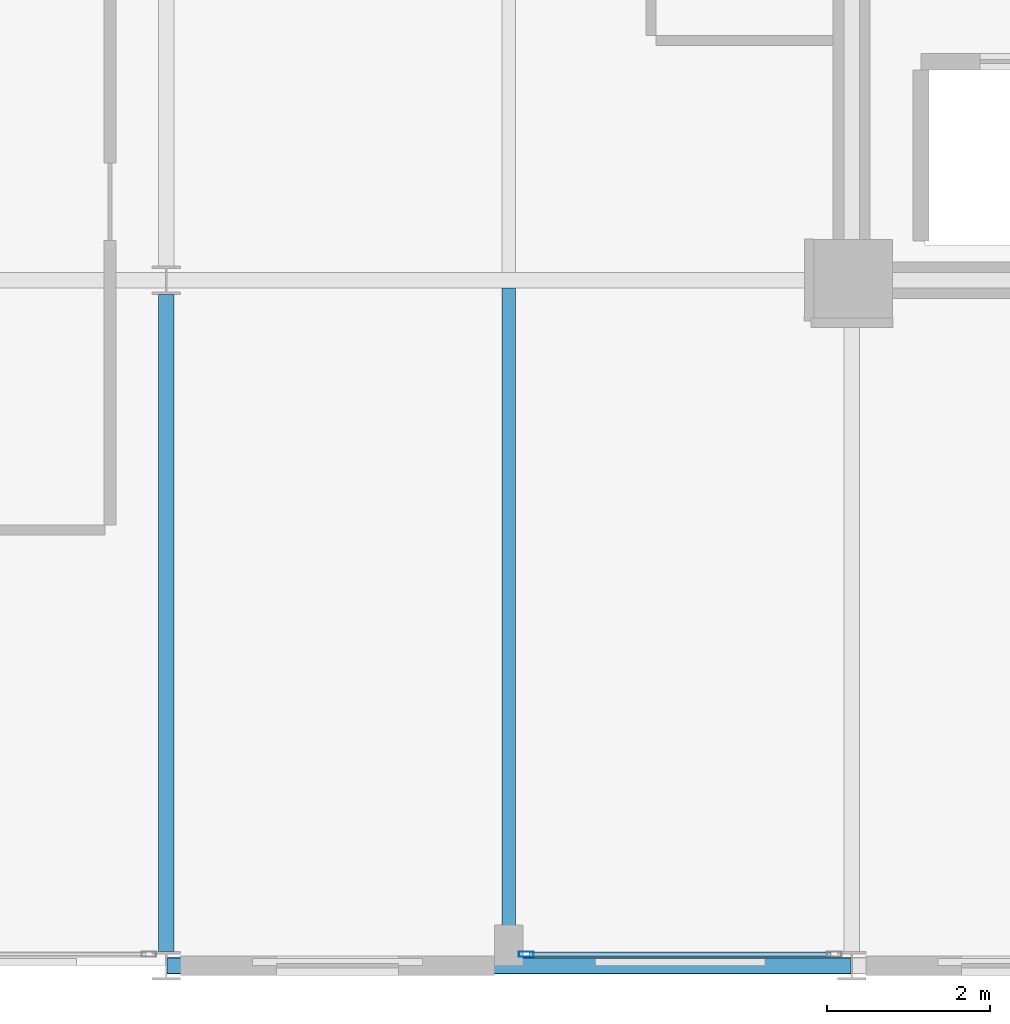
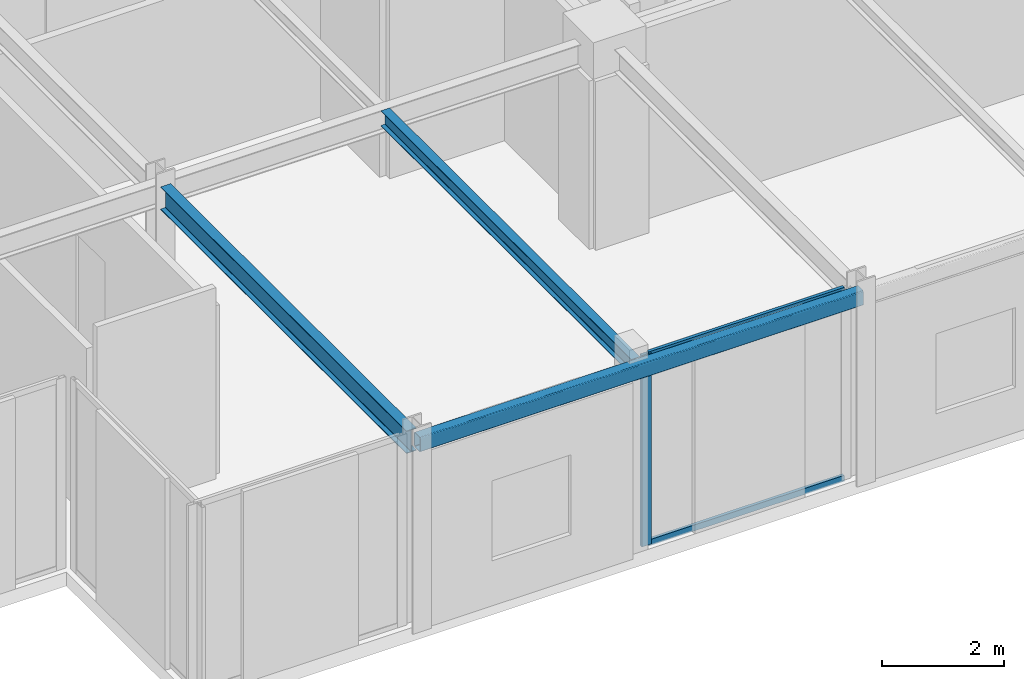
# One storey, part 3 of 25: 3 beams, 3 members, 1 element without a shape of its own.
"""IFC4 building model written with IfcOpenShell, lengths in metres."""

from ifc_helpers import new_model, si_unit, direction, frame, origin, origin_2d, place, context, subcontext, project, spatial, hollow_rectangle, i_section, extrude, material, layer, layer_set, material_profile, profile_set, type_object, element, aggregate, save


model = new_model("IFC4")

# Units and contexts
model_context = context("Model", 3, precision=1e-05, world=origin(), true_north=direction((0.0, 1.0)))
body_context = subcontext(model_context, "Body", "Model", "MODEL_VIEW")
ifc_project = project(units=[si_unit("LENGTHUNIT", "METRE"), si_unit("AREAUNIT", "SQUARE_METRE"), si_unit("VOLUMEUNIT", "CUBIC_METRE"), si_unit("PLANEANGLEUNIT", "RADIAN"), si_unit("MASSUNIT", "GRAM", prefix="KILO")], contexts=[model_context])

# Site, building, storey
site_placement = place(None, origin())
site = spatial("IfcSite", under=ifc_project, at=site_placement, CompositionType="ELEMENT")
building_placement = place(site_placement, origin())
building = spatial("IfcBuilding", under=site, at=building_placement, Name="Nerrivon Quay Data Exchange", CompositionType="ELEMENT")
storey_placement = place(building_placement, frame((0.0, 0.0, 237.0)))
storey = spatial("IfcBuildingStorey", under=building, at=storey_placement, Name="L56", CompositionType="ELEMENT", Elevation=237.0)

# Beams
ifc_material_1 = material(Name="Steel Grade 350", Category="steel")
ifc_material_profile_1 = material_profile(ifc_material_1, i_section(OverallWidth=0.18994140625, OverallDepth=0.4541015625, WebThickness=0.008544921875, FlangeThickness=0.0126953125, FilletRadius=0.011474609375, at=origin_2d()), Name="460UB67.1")
ifc_profile_set_1 = profile_set([ifc_material_profile_1], Name="Steel Grade 350")
beam_type_1 = type_object("IfcBeamType", Name="BM-G6-460UB67", PredefinedType="BEAM", material=ifc_profile_set_1)
beam_1_placement = place(storey_placement, frame((8.39990234375, 0.175048828125, 3.597900390625), z_axis=(0.0, 1.0, 0.0), x_axis=(-1.0, 0.0, 0.0)))
element("IfcBeam", 1, at=beam_1_placement, inside=storey, type_object=beam_type_1, Name="L56 NS Girder X=8.4 (0.0..8.4)", PredefinedType="BEAM", context=body_context, shape_type="SweptSolid", body=[
    extrude(i_section(OverallWidth=0.18994140625, OverallDepth=0.4541015625, WebThickness=0.008544921875, FlangeThickness=0.0126953125, FilletRadius=0.011474609375, at=origin_2d()), origin(), (0.0, 0.0, 1.0), 8.050048828125),
])
ifc_material_profile_2 = material_profile(ifc_material_1, i_section(OverallWidth=0.166015625, OverallDepth=0.306884765625, WebThickness=0.006591796875, FlangeThickness=0.01171875, FilletRadius=0.011474609375, at=origin_2d()), Name="310UB46.2")
ifc_profile_set_2 = profile_set([ifc_material_profile_2], Name="Steel Grade 350")
beam_type_2 = type_object("IfcBeamType", Name="BM-J5-310UB46", PredefinedType="JOIST", material=ifc_profile_set_2)
beam_2_placement = place(storey_placement, frame((12.60009765625, 0.10009765625, 3.67138671875), z_axis=(0.0, 1.0, 0.0), x_axis=(-1.0, 0.0, 0.0)))
element("IfcBeam", 2, at=beam_2_placement, inside=storey, type_object=beam_type_2, Name="L56 Secondary Joist X=12.6 (0.0..8.4)", PredefinedType="JOIST", context=body_context, shape_type="SweptSolid", body=[
    extrude(i_section(OverallWidth=0.166015625, OverallDepth=0.306884765625, WebThickness=0.006591796875, FlangeThickness=0.01171875, FilletRadius=0.011474609375, at=origin_2d()), origin(), (0.0, 0.0, 1.0), 8.204345703125),
])
ifc_material_2 = material(Name="Steel Grade C350L0 (350 MPa)", Category="steel")
ifc_material_profile_3 = material_profile(ifc_material_2, hollow_rectangle(XDim=0.199951171875, YDim=0.300048828125, WallThickness=0.012451171875, InnerFilletRadius=0.018798828125, OuterFilletRadius=0.03125, at=origin_2d()), Name="300x200x12.5RHS")
ifc_profile_set_3 = profile_set([ifc_material_profile_3], Name="Steel Grade C350L0 (350 MPa)")
beam_type_3 = type_object("IfcBeamType", Name="BM-SP3-300x200RHS", PredefinedType="SPANDREL", material=ifc_profile_set_3)
beam_3_placement = place(storey_placement, frame((8.409912109375, 0.0, 3.675048828125), z_axis=(1.0, 0.0, 0.0), x_axis=(0.0, 1.0, 0.0)))
element("IfcBeam", 3, at=beam_3_placement, inside=storey, type_object=beam_type_3, Name="L56 EW Girder Y=0.0 (8.4..16.8)", PredefinedType="SPANDREL", context=body_context, shape_type="SweptSolid", body=[
    extrude(hollow_rectangle(XDim=0.199951171875, YDim=0.300048828125, WallThickness=0.012451171875, InnerFilletRadius=0.018798828125, OuterFilletRadius=0.03125, at=origin_2d()), origin(), (0.0, 0.0, 1.0), 8.380126953125),
])

# Curtain wall, members
ifc_material_3 = material(Name="Anodised aluminium 6063-T6", Category="aluminium")
ifc_layer = layer(ifc_material_3, 0.195068359375)
ifc_layer_set = layer_set([ifc_layer], Name="Anodised aluminium 6063-T6")
curtain_wall_type = type_object("IfcCurtainWallType", Name="CW-SYS-06", PredefinedType="NOTDEFINED", material=ifc_layer_set)
curtain_wall_placement = place(storey_placement, origin())
curtain_wall = element("IfcCurtainWall", 4, at=curtain_wall_placement, inside=storey, type_object=curtain_wall_type, Name="L56 Unitised Curtain Wall 6", PredefinedType="NOTDEFINED")
ifc_material_profile_4 = material_profile(ifc_material_3, hollow_rectangle(XDim=0.06494140625, YDim=0.179931640625, WallThickness=0.00341796875, at=origin_2d()), Name="ALU-MULL-180x65")
ifc_profile_set_4 = profile_set([ifc_material_profile_4], Name="Anodised aluminium 6063-T6")
member_type_1 = type_object("IfcMemberType", Name="CWM-180x65", PredefinedType="MULLION", material=ifc_profile_set_4)
member_1_placement = place(storey_placement, frame((12.8125, 0.139892578125, 0.0), z_axis=(0.0, 0.0, 1.0), x_axis=(0.0, -1.0, 0.0)))
member_1 = element("IfcMember", 5, at=member_1_placement, type_object=member_type_1, Name="CW06 mullion 2", PredefinedType="MULLION", context=body_context, shape_type="SweptSolid", body=[
    extrude(hollow_rectangle(XDim=0.06494140625, YDim=0.179931640625, WallThickness=0.00341796875, at=origin_2d()), origin(), (0.0, 0.0, 1.0), 3.824951171875),
])
ifc_material_profile_5 = material_profile(ifc_material_3, hollow_rectangle(XDim=0.06005859375, YDim=0.1201171875, WallThickness=0.003173828125, at=origin_2d()), Name="ALU-TRAN-120x60")
ifc_profile_set_5 = profile_set([ifc_material_profile_5], Name="Anodised aluminium 6063-T6")
member_type_2 = type_object("IfcMemberType", Name="CWT-120x60", PredefinedType="USERDEFINED", material=ifc_profile_set_5)
member_2_placement = place(storey_placement, frame((16.550048828125, 0.139892578125, 0.032470703125), z_axis=(-1.0, 0.0, 0.0), x_axis=(0.0, -1.0, 0.0)))
member_2 = element("IfcMember", 6, at=member_2_placement, type_object=member_type_2, Name="CW06 transom 1.1", ObjectType="TRANSOM", PredefinedType="USERDEFINED", context=body_context, shape_type="SweptSolid", body=[
    extrude(hollow_rectangle(XDim=0.06005859375, YDim=0.1201171875, WallThickness=0.003173828125, at=origin_2d()), origin(), (0.0, 0.0, 1.0), 3.699951171875),
])
member_3_placement = place(storey_placement, frame((16.550048828125, 0.139892578125, 3.79248046875), z_axis=(-1.0, 0.0, 0.0), x_axis=(0.0, -1.0, 0.0)))
member_3 = element("IfcMember", 7, at=member_3_placement, type_object=member_type_2, Name="CW06 transom 1.2", ObjectType="TRANSOM", PredefinedType="USERDEFINED", context=body_context, shape_type="SweptSolid", body=[
    extrude(hollow_rectangle(XDim=0.06005859375, YDim=0.1201171875, WallThickness=0.003173828125, at=origin_2d()), origin(), (0.0, 0.0, 1.0), 3.699951171875),
])
aggregate(curtain_wall, [member_1, member_2, member_3])

save(model, "model.ifc")
